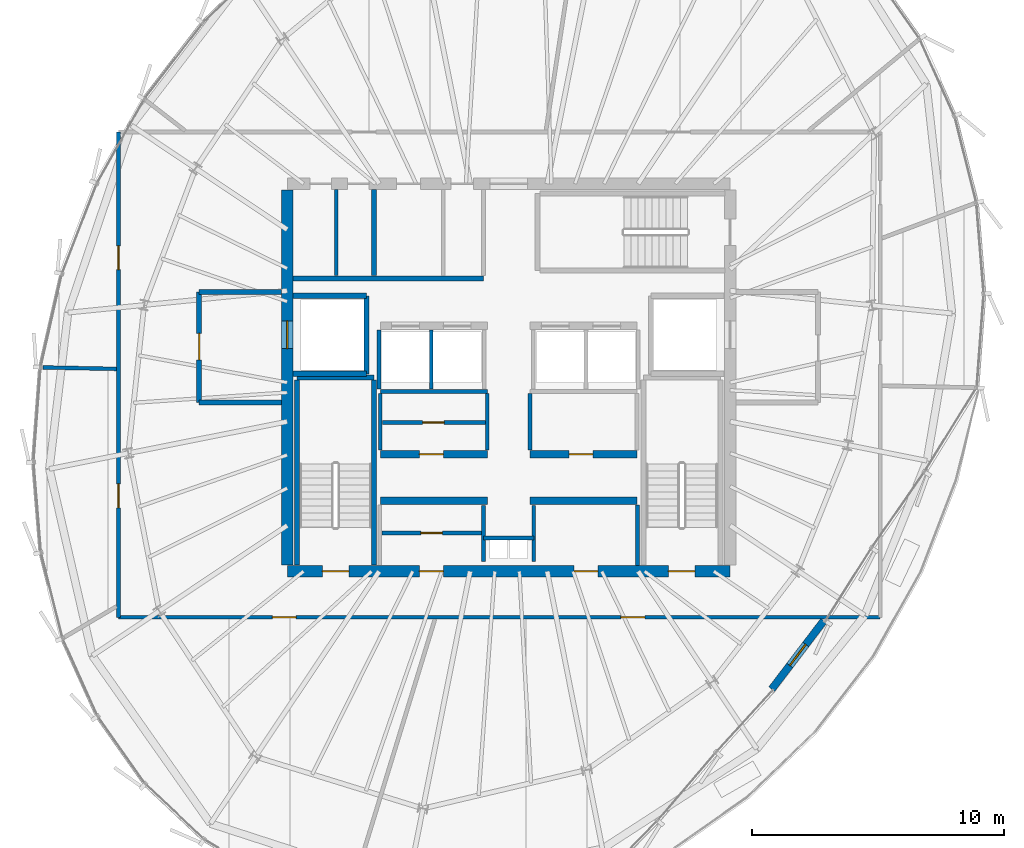
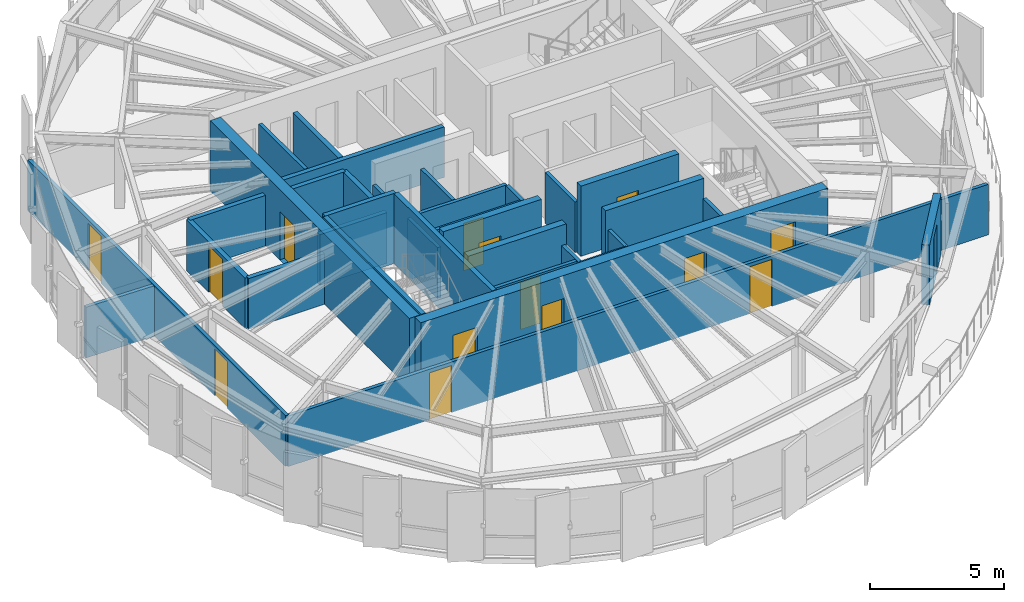
# One storey, part 24 of 30: 34 walls, 15 doors, 15 openings.
"""IFC4 building model written with IfcOpenShell, lengths in metres."""

from ifc_helpers import new_model, si_unit, direction, frame, frame_2d, origin, place, context, subcontext, project, spatial, rectangle, extrude, source, transform, mapped, material, layer, layer_set, type_object, element, fill, save


model = new_model("IFC4")

# Units and contexts
model_context = context("Model", 3, precision=1e-05, world=origin(), true_north=direction((0.0, 1.0)))
body_context = subcontext(model_context, "Body", "Model", "MODEL_VIEW")
ifc_project = project(units=[si_unit("LENGTHUNIT", "METRE"), si_unit("AREAUNIT", "SQUARE_METRE"), si_unit("VOLUMEUNIT", "CUBIC_METRE"), si_unit("PLANEANGLEUNIT", "RADIAN"), si_unit("MASSUNIT", "GRAM", prefix="KILO"), si_unit("THERMODYNAMICTEMPERATUREUNIT", "KELVIN")], contexts=[model_context])

# Site, building, storey
site_placement = place(None, origin())
site = spatial("IfcSite", under=ifc_project, at=site_placement, CompositionType="ELEMENT")
building_placement = place(site_placement, origin())
building = spatial("IfcBuilding", under=site, at=building_placement, Name="Kethvar Cultural Tower", CompositionType="ELEMENT")
storey_placement = place(building_placement, frame((0.0, 0.0, 293.949951171875)))
storey = spatial("IfcBuildingStorey", under=building, at=storey_placement, Name="L78", CompositionType="ELEMENT", Elevation=293.949951171875)

# Wall, openings, doors
ifc_material_1 = material(Name="Concrete C50/60", Category="concrete")
ifc_layer_1 = layer(ifc_material_1, 0.449951171875, Name="Concrete C50/60", Category="concrete")
ifc_layer_set_1 = layer_set([ifc_layer_1], Name="Concrete C50/60 (450 mm)")
wall_type_1 = type_object("IfcWallType", Name="WL-CORE-450", PredefinedType="SHEAR", material=ifc_layer_set_1)
wall_1_placement = place(storey_placement, frame((38.0, 20.10009765625, 0.0), z_axis=(0.0, 0.0, 1.0), x_axis=(1.0, 0.0, 0.0)))
wall_1 = element("IfcWall", 1, at=wall_1_placement, inside=storey, type_object=wall_type_1, Name="L78 Core Shear Wall S", PredefinedType="SHEAR", context=body_context, shape_type="SweptSolid", body=[
    extrude(rectangle(XDim=17.60009765625, YDim=0.449951171875, at=frame_2d((8.800048828125, 0.0))), origin(), (0.0, 0.0, 1.0), 3.2099609375),
])
opening_1_placement = place(wall_1_placement, frame((1.39990234375, 0.0, 0.0)))
opening_1 = element("IfcOpeningElement", 2, at=opening_1_placement, cuts=wall_1, Name="Opening D-L78-S1", PredefinedType="OPENING", context=body_context, shape_type="SweptSolid", body=[
    extrude(rectangle(XDim=1.050048828125, YDim=2.14990234375, at=frame_2d((0.52490234375, 1.074951171875))), frame((0.0, 0.23486328125, 0.0), z_axis=(0.0, -1.0, 0.0), x_axis=(1.0, 0.0, 0.0)), (0.0, 0.0, 1.0), 0.469970703125),
])
opening_2_placement = place(wall_1_placement, frame((15.14990234375, 0.0, 0.0)))
opening_2 = element("IfcOpeningElement", 3, at=opening_2_placement, cuts=wall_1, Name="Opening D-L78-ST2", PredefinedType="OPENING", context=body_context, shape_type="SweptSolid", body=[
    extrude(rectangle(XDim=1.050048828125, YDim=2.14990234375, at=frame_2d((0.52490234375, 1.074951171875))), frame((0.0, 0.23486328125, 0.0), z_axis=(0.0, -1.0, 0.0), x_axis=(1.0, 0.0, 0.0)), (0.0, 0.0, 1.0), 0.469970703125),
])
opening_3_placement = place(wall_1_placement, frame((5.25, 0.0, 0.0)))
opening_3 = element("IfcOpeningElement", 4, at=opening_3_placement, cuts=wall_1, Name="Opening D-L78-V1", PredefinedType="OPENING", context=body_context, shape_type="SweptSolid", body=[
    extrude(rectangle(XDim=0.949951171875, YDim=2.14990234375, at=frame_2d((0.47509765625, 1.074951171875))), frame((0.0, 0.23486328125, 0.0), z_axis=(0.0, -1.0, 0.0), x_axis=(1.0, 0.0, 0.0)), (0.0, 0.0, 1.0), 0.469970703125),
])
opening_4_placement = place(wall_1_placement, frame((11.39990234375, 0.0, 0.0)))
opening_4 = element("IfcOpeningElement", 5, at=opening_4_placement, cuts=wall_1, Name="Opening D-L78-V2", PredefinedType="OPENING", context=body_context, shape_type="SweptSolid", body=[
    extrude(rectangle(XDim=0.949951171875, YDim=2.14990234375, at=frame_2d((0.47509765625, 1.074951171875))), frame((0.0, 0.23486328125, 0.0), z_axis=(0.0, -1.0, 0.0), x_axis=(1.0, 0.0, 0.0)), (0.0, 0.0, 1.0), 0.469970703125),
])
ifc_material_2 = material(Name="Steel S355J2", Category="steel")
door_type_1 = type_object("IfcDoorType", Name="DR-FD60-1050", OperationType="NOTDEFINED", PredefinedType="DOOR", material=ifc_material_2)
shared_shape_1 = source(origin(), body_context, "Body", "SweptSolid", [
    extrude(rectangle(XDim=1.050048828125, YDim=2.14990234375, at=frame_2d((0.52490234375, 1.074951171875))), frame((0.0, 0.02490234375, 0.0), z_axis=(0.0, -1.0, 0.0), x_axis=(1.0, 0.0, 0.0)), (0.0, 0.0, 1.0), 0.050048828125),
])
door_1_placement = place(opening_1_placement, origin())
door_1 = element("IfcDoor", 6, at=door_1_placement, inside=storey, type_object=door_type_1, Name="L78 Exit Stair 1 Door", OperationType="SINGLE_SWING_LEFT", OverallHeight=2.14990234375, OverallWidth=1.050048828125, PredefinedType="DOOR", context=body_context, shape_type="MappedRepresentation", body=[
    mapped(shared_shape_1, transform((0.0, 0.0, 0.0), scale=1.0)),
])
fill(opening_1, door_1)
door_2_placement = place(opening_2_placement, origin())
door_2 = element("IfcDoor", 7, at=door_2_placement, inside=storey, type_object=door_type_1, Name="L78 Exit Stair 2 Door", OperationType="SINGLE_SWING_RIGHT", OverallHeight=2.14990234375, OverallWidth=1.050048828125, PredefinedType="DOOR", context=body_context, shape_type="MappedRepresentation", body=[
    mapped(shared_shape_1, transform((0.0, 0.0, 0.0), scale=1.0)),
])
fill(opening_2, door_2)
ifc_material_3 = material(Name="Architectural Oak Timber", Category="wood")
door_type_2 = type_object("IfcDoorType", Name="DR-FD30-950", OperationType="NOTDEFINED", PredefinedType="DOOR", material=ifc_material_3)
shared_shape_2 = source(origin(), body_context, "Body", "SweptSolid", [
    extrude(rectangle(XDim=0.949951171875, YDim=2.14990234375, at=frame_2d((0.47509765625, 1.074951171875))), frame((0.0, 0.02490234375, 0.0), z_axis=(0.0, -1.0, 0.0), x_axis=(1.0, 0.0, 0.0)), (0.0, 0.0, 1.0), 0.050048828125),
])
door_3_placement = place(opening_3_placement, origin())
door_3 = element("IfcDoor", 8, at=door_3_placement, inside=storey, type_object=door_type_2, Name="L78 Reclaimed West South Door", OperationType="SINGLE_SWING_LEFT", OverallHeight=2.14990234375, OverallWidth=0.949951171875, PredefinedType="DOOR", context=body_context, shape_type="MappedRepresentation", body=[
    mapped(shared_shape_2, transform((0.0, 0.0, 0.0), scale=1.0)),
])
fill(opening_3, door_3)
door_4_placement = place(opening_4_placement, origin())
door_4 = element("IfcDoor", 9, at=door_4_placement, inside=storey, type_object=door_type_2, Name="L78 Reclaimed East Server Door", OperationType="SINGLE_SWING_RIGHT", OverallHeight=2.14990234375, OverallWidth=0.949951171875, PredefinedType="DOOR", context=body_context, shape_type="MappedRepresentation", body=[
    mapped(shared_shape_2, transform((0.0, 0.0, 0.0), scale=1.0)),
])
fill(opening_4, door_4)

# Wall, opening, door
wall_2_placement = place(storey_placement, frame((38.0, 35.260009765625, 0.0), z_axis=(0.0, 0.0, 1.0), x_axis=(0.0, -1.0, 0.0)))
wall_2 = element("IfcWall", 10, at=wall_2_placement, inside=storey, type_object=wall_type_1, Name="L78 Core Shear Wall W", PredefinedType="SHEAR", context=body_context, shape_type="SweptSolid", body=[
    extrude(rectangle(XDim=14.919921875, YDim=0.449951171875, at=frame_2d((7.4599609375, 0.0))), origin(), (0.0, 0.0, 1.0), 3.2099609375),
])
opening_5_placement = place(wall_2_placement, frame((5.2099609375, 0.0, 0.0)))
opening_5 = element("IfcOpeningElement", 11, at=opening_5_placement, cuts=wall_2, Name="Opening LD-1", PredefinedType="OPENING", context=body_context, shape_type="SweptSolid", body=[
    extrude(rectangle(XDim=1.10009765625, YDim=2.199951171875, at=frame_2d((0.550048828125, 1.10009765625))), frame((0.0, 0.23486328125, 0.0), z_axis=(0.0, -1.0, 0.0), x_axis=(1.0, 0.0, 0.0)), (0.0, 0.0, 1.0), 0.469970703125),
])
door_type_3 = type_object("IfcDoorType", Name="DR-LIFT-SLIDE-1100", OperationType="NOTDEFINED", PredefinedType="DOOR", material=ifc_material_2)
shared_shape_3 = source(origin(), body_context, "Body", "SweptSolid", [
    extrude(rectangle(XDim=1.10009765625, YDim=2.199951171875, at=frame_2d((0.550048828125, 1.10009765625))), frame((0.0, 0.02490234375, 0.0), z_axis=(0.0, -1.0, 0.0), x_axis=(1.0, 0.0, 0.0)), (0.0, 0.0, 1.0), 0.050048828125),
])
door_5_placement = place(opening_5_placement, origin())
door_5 = element("IfcDoor", 12, at=door_5_placement, inside=storey, type_object=door_type_3, Name="L78 Firefighting Lift Landing Door FFL-01", OperationType="SLIDING_TO_LEFT", OverallHeight=2.199951171875, OverallWidth=1.10009765625, PredefinedType="DOOR", context=body_context, shape_type="MappedRepresentation", body=[
    mapped(shared_shape_3, transform((0.0, 0.0, 0.0), scale=1.0)),
])
fill(opening_5, door_5)

ifc_material_4 = material(Name="Concrete C40/50", Category="concrete")
ifc_layer_2 = layer(ifc_material_4, 0.300048828125, Name="Concrete C40/50", Category="concrete")
ifc_layer_set_2 = layer_set([ifc_layer_2], Name="Concrete C40/50 (300 mm)")
wall_type_2 = type_object("IfcWallType", Name="WL-EXT-TER-300", PredefinedType="SOLIDWALL", material=ifc_layer_set_2)
wall_3_placement = place(storey_placement, frame((59.324951171875, 18.134521484375, 0.0), z_axis=(0.0, 0.0, 1.0), x_axis=(-0.605586755282, -0.795779292158, 0.0)))
wall_3 = element("IfcWall", 13, at=wall_3_placement, inside=storey, type_object=wall_type_2, Name="L78 Sky Terrace Access Wall", PredefinedType="SOLIDWALL", context=body_context, shape_type="SweptSolid", body=[
    extrude(rectangle(XDim=3.4169921875, YDim=0.300048828125, at=frame_2d((1.70849609375, 0.0))), origin(), (0.0, 0.0, 1.0), 2.735107421875),
])
opening_6_placement = place(wall_3_placement, frame((1.18359375, 0.0, 0.0)))
opening_6 = element("IfcOpeningElement", 14, at=opening_6_placement, cuts=wall_3, Name="Opening D-L78-T1", PredefinedType="OPENING", context=body_context, shape_type="SweptSolid", body=[
    extrude(rectangle(XDim=1.050048828125, YDim=2.199951171875, at=frame_2d((0.52490234375, 1.10009765625))), frame((0.0, 0.159912109375, 0.0), z_axis=(0.0, -1.0, 0.0), x_axis=(1.0, 0.0, 0.0)), (0.0, 0.0, 1.0), 0.320068359375),
])
ifc_material_5 = material(Name="Aluminium 6063-T6", Category="aluminium")
door_type_4 = type_object("IfcDoorType", Name="DR-EXT-TER-1050", OperationType="NOTDEFINED", PredefinedType="DOOR", material=ifc_material_5)
shared_shape_4 = source(origin(), body_context, "Body", "SweptSolid", [
    extrude(rectangle(XDim=1.050048828125, YDim=2.199951171875, at=frame_2d((0.52490234375, 1.10009765625))), frame((0.0, 0.02490234375, 0.0), z_axis=(0.0, -1.0, 0.0), x_axis=(1.0, 0.0, 0.0)), (0.0, 0.0, 1.0), 0.050048828125),
])
door_6_placement = place(opening_6_placement, origin())
door_6 = element("IfcDoor", 15, at=door_6_placement, inside=storey, type_object=door_type_4, Name="L78 Sky Terrace Access Door D-L78-T1", OperationType="SINGLE_SWING_RIGHT", OverallHeight=2.199951171875, OverallWidth=1.050048828125, PredefinedType="DOOR", context=body_context, shape_type="MappedRepresentation", body=[
    mapped(shared_shape_4, transform((0.0, 0.0, 0.0), scale=1.0)),
])
fill(opening_6, door_6)

# Walls
ifc_material_6 = material(Name="Gypsum Fireboard Partition")
ifc_layer_3 = layer(ifc_material_6, 0.14990234375, Name="Gypsum Fireboard Partition")
ifc_layer_set_3 = layer_set([ifc_layer_3], Name="Gypsum Fireboard Partition (150 mm)")
wall_type_3 = type_object("IfcWallType", Name="WL-FIRE-150", PredefinedType="PARTITIONING", material=ifc_layer_set_3)
wall_4_placement = place(storey_placement, frame((45.800048828125, 21.419921875, 0.0), z_axis=(0.0, 0.0, 1.0), x_axis=(1.0, 0.0, 0.0)))
element("IfcWall", 16, at=wall_4_placement, inside=storey, type_object=wall_type_3, Name="L78 Core Riser Wall", PredefinedType="PARTITIONING", context=body_context, shape_type="SweptSolid", body=[
    extrude(rectangle(XDim=2.0, YDim=0.14990234375, at=frame_2d((1.0, 0.0))), origin(), (0.0, 0.0, 1.0), 2.31494140625),
])
for number, where, z_axis, x_axis, name in (
    (17, (45.800048828125, 20.47998046875, 0.0), (0.0, 0.0, 1.0), (0.0, 1.0, 0.0), "L78 Core Riser West Wall"),
    (18, (47.800048828125, 20.47998046875, 0.0), (0.0, 0.0, 1.0), (0.0, 1.0, 0.0), "L78 Core Riser East Wall"),
):
    element("IfcWall", number, at=place(storey_placement, frame(where, z_axis=z_axis, x_axis=x_axis)), inside=storey, type_object=wall_type_3, Name=name, PredefinedType="PARTITIONING", context=body_context, shape_type="SweptSolid", body=[
        extrude(rectangle(XDim=2.239990234375, YDim=0.14990234375, at=frame_2d((1.1201171875, 0.0))), origin(), (0.0, 0.0, 1.0), 2.31494140625),
    ])
wall_5_placement = place(storey_placement, frame((51.919921875, 20.3349609375, 0.0), z_axis=(0.0, 0.0, 1.0), x_axis=(0.0, 1.0, 0.0)))
element("IfcWall", 19, at=wall_5_placement, inside=storey, type_object=wall_type_3, Name="L78 Reclaimed East Outer Wall", PredefinedType="PARTITIONING", context=body_context, shape_type="SweptSolid", body=[
    extrude(rectangle(XDim=2.39501953125, YDim=0.14990234375, at=frame_2d((1.197509765625, 0.0))), origin(), (0.0, 0.0, 1.0), 2.31494140625),
])

# Wall, opening, door
wall_6_placement = place(storey_placement, frame((41.760009765625, 21.6201171875, 0.0), z_axis=(0.0, 0.0, 1.0), x_axis=(1.0, 0.0, 0.0)))
wall_6 = element("IfcWall", 20, at=wall_6_placement, inside=storey, type_object=wall_type_3, Name="L78 Vault Gallery Wall W", PredefinedType="PARTITIONING", context=body_context, shape_type="SweptSolid", body=[
    extrude(rectangle(XDim=3.9599609375, YDim=0.14990234375, at=frame_2d((1.97998046875, 0.0))), origin(), (0.0, 0.0, 1.0), 2.31494140625),
])
opening_7_placement = place(wall_6_placement, frame((1.550048828125, 0.0, 0.0)))
opening_7 = element("IfcOpeningElement", 21, at=opening_7_placement, cuts=wall_6, Name="Opening D-L78-V3", PredefinedType="OPENING", context=body_context, shape_type="SweptSolid", body=[
    extrude(rectangle(XDim=0.85009765625, YDim=2.14990234375, at=frame_2d((0.425048828125, 1.074951171875))), frame((0.0, 0.0849609375, 0.0), z_axis=(0.0, -1.0, 0.0), x_axis=(1.0, 0.0, 0.0)), (0.0, 0.0, 1.0), 0.169921875),
])
door_type_5 = type_object("IfcDoorType", Name="DR-FD30-850", OperationType="NOTDEFINED", PredefinedType="DOOR", material=ifc_material_2)
shared_shape_5 = source(origin(), body_context, "Body", "SweptSolid", [
    extrude(rectangle(XDim=0.85009765625, YDim=2.14990234375, at=frame_2d((0.425048828125, 1.074951171875))), frame((0.0, 0.02490234375, 0.0), z_axis=(0.0, -1.0, 0.0), x_axis=(1.0, 0.0, 0.0)), (0.0, 0.0, 1.0), 0.050048828125),
])
door_7_placement = place(opening_7_placement, origin())
door_7 = element("IfcDoor", 22, at=door_7_placement, inside=storey, type_object=door_type_5, Name="L78 Inner Vault Gallery Door", OperationType="SINGLE_SWING_LEFT", OverallHeight=2.14990234375, OverallWidth=0.85009765625, PredefinedType="DOOR", context=body_context, shape_type="MappedRepresentation", body=[
    mapped(shared_shape_5, transform((0.0, 0.0, 0.0), scale=1.0)),
])
fill(opening_7, door_7)

# Walls
wall_7_placement = place(storey_placement, frame((41.699951171875, 27.25, 0.0), z_axis=(0.0, 0.0, 1.0), x_axis=(1.0, 0.0, 0.0)))
element("IfcWall", 23, at=wall_7_placement, inside=storey, type_object=wall_type_3, Name="L78 Reclaimed Mid Wall W", PredefinedType="PARTITIONING", context=body_context, shape_type="SweptSolid", body=[
    extrude(rectangle(XDim=4.25, YDim=0.14990234375, at=frame_2d((2.125, 0.0))), origin(), (0.0, 0.0, 1.0), 2.31494140625),
])
for number, where, z_axis, x_axis, name in (
    (24, (41.699951171875, 24.919921875, 0.0), (0.0, 0.0, 1.0), (0.0, 1.0, 0.0), "L78 Reclaimed Mid Outer W"),
    (25, (45.949951171875, 24.919921875, 0.0), (0.0, 0.0, 1.0), (0.0, 1.0, 0.0), "L78 Reclaimed Mid Spine W"),
    (26, (47.64990234375, 24.919921875, 0.0), (0.0, 0.0, 1.0), (0.0, 1.0, 0.0), "L78 Reclaimed Mid Spine E"),
):
    element("IfcWall", number, at=place(storey_placement, frame(where, z_axis=z_axis, x_axis=x_axis)), inside=storey, type_object=wall_type_3, Name=name, PredefinedType="PARTITIONING", context=body_context, shape_type="SweptSolid", body=[
        extrude(rectangle(XDim=2.239990234375, YDim=0.14990234375, at=frame_2d((1.1201171875, 0.0))), origin(), (0.0, 0.0, 1.0), 2.31494140625),
    ])

# Wall, opening, door
wall_8_placement = place(storey_placement, frame((41.780029296875, 26.010009765625, 0.0), z_axis=(0.0, 0.0, 1.0), x_axis=(1.0, 0.0, 0.0)))
wall_8 = element("IfcWall", 27, at=wall_8_placement, inside=storey, type_object=wall_type_3, Name="L78 Mid Gallery Wall W", PredefinedType="PARTITIONING", context=body_context, shape_type="SweptSolid", body=[
    extrude(rectangle(XDim=4.090087890625, YDim=0.14990234375, at=frame_2d((2.044921875, 0.0))), origin(), (0.0, 0.0, 1.0), 2.31494140625),
])
opening_8_placement = place(wall_8_placement, frame((1.60009765625, 0.0, 0.0)))
opening_8 = element("IfcOpeningElement", 28, at=opening_8_placement, cuts=wall_8, Name="Opening D-L78-M3", PredefinedType="OPENING", context=body_context, shape_type="SweptSolid", body=[
    extrude(rectangle(XDim=0.85009765625, YDim=2.14990234375, at=frame_2d((0.425048828125, 1.074951171875))), frame((0.0, 0.0849609375, 0.0), z_axis=(0.0, -1.0, 0.0), x_axis=(1.0, 0.0, 0.0)), (0.0, 0.0, 1.0), 0.169921875),
])
door_8_placement = place(opening_8_placement, origin())
door_8 = element("IfcDoor", 29, at=door_8_placement, inside=storey, type_object=door_type_5, Name="L78 Fibre Inner Door", OperationType="SINGLE_SWING_LEFT", OverallHeight=2.14990234375, OverallWidth=0.85009765625, PredefinedType="DOOR", context=body_context, shape_type="MappedRepresentation", body=[
    mapped(shared_shape_5, transform((0.0, 0.0, 0.0), scale=1.0)),
])
fill(opening_8, door_8)

# Walls
for number, where, z_axis, x_axis, name in (
    (30, (41.64990234375, 27.340087890625, 0.0), (0.0, 0.0, 1.0), (0.0, 1.0, 0.0), "L78 High-Rise Lift Shaft Outer Wall W"),
    (31, (43.72509765625, 27.340087890625, 0.0), (0.0, 0.0, 1.0), (0.0, 1.0, 0.0), "L78 High-Rise Lift Shaft Divider W"),
):
    element("IfcWall", number, at=place(storey_placement, frame(where, z_axis=z_axis, x_axis=x_axis)), inside=storey, type_object=wall_type_3, Name=name, PredefinedType="PARTITIONING", context=body_context, shape_type="SweptSolid", body=[
        extrude(rectangle(XDim=2.33984375, YDim=0.14990234375, at=frame_2d((1.169921875, 0.0))), origin(), (0.0, 0.0, 1.0), 2.31494140625),
    ])
wall_9_placement = place(storey_placement, frame((39.949951171875, 31.85009765625, 0.0), z_axis=(0.0, 0.0, 1.0), x_axis=(0.0, 1.0, 0.0)))
element("IfcWall", 32, at=wall_9_placement, inside=storey, type_object=wall_type_3, Name="L78 NW Riser Divider", PredefinedType="PARTITIONING", context=body_context, shape_type="SweptSolid", body=[
    extrude(rectangle(XDim=3.414794921875, YDim=0.14990234375, at=frame_2d((1.70751953125, 0.0))), origin(), (0.0, 0.0, 1.0), 2.31494140625),
])

# Wall, openings, doors
wall_10_placement = place(storey_placement, frame((31.2900390625, 18.26904296875, 0.0), z_axis=(0.0, 0.0, 1.0), x_axis=(1.0, 0.0, 0.0)))
wall_10 = element("IfcWall", 33, at=wall_10_placement, inside=storey, type_object=wall_type_3, Name="L78 Corridor Rated Wall S", PredefinedType="PARTITIONING", context=body_context, shape_type="SweptSolid", body=[
    extrude(rectangle(XDim=30.27392578125, YDim=0.14990234375, at=frame_2d((15.136962890625, 0.0))), origin(), (0.0, 0.0, 1.0), 2.31494140625),
])
opening_9_placement = place(wall_10_placement, frame((6.115234375, 0.0, 0.0)))
opening_9 = element("IfcOpeningElement", 34, at=opening_9_placement, cuts=wall_10, Name="Opening D-L78-01", PredefinedType="OPENING", context=body_context, shape_type="SweptSolid", body=[
    extrude(rectangle(XDim=0.949951171875, YDim=2.14990234375, at=frame_2d((0.47509765625, 1.074951171875))), frame((0.0, 0.0849609375, 0.0), z_axis=(0.0, -1.0, 0.0), x_axis=(1.0, 0.0, 0.0)), (0.0, 0.0, 1.0), 0.169921875),
])
opening_10_placement = place(wall_10_placement, frame((19.97314453125, 0.0, 0.0)))
opening_10 = element("IfcOpeningElement", 35, at=opening_10_placement, cuts=wall_10, Name="Opening D-L78-02", PredefinedType="OPENING", context=body_context, shape_type="SweptSolid", body=[
    extrude(rectangle(XDim=0.949951171875, YDim=2.14990234375, at=frame_2d((0.47509765625, 1.074951171875))), frame((0.0, 0.0849609375, 0.0), z_axis=(0.0, -1.0, 0.0), x_axis=(1.0, 0.0, 0.0)), (0.0, 0.0, 1.0), 0.169921875),
])
door_9_placement = place(opening_9_placement, origin())
door_9 = element("IfcDoor", 36, at=door_9_placement, inside=storey, type_object=door_type_2, Name="L78 Museum Design Book Shop 01 Door", OperationType="SINGLE_SWING_LEFT", OverallHeight=2.14990234375, OverallWidth=0.949951171875, PredefinedType="DOOR", context=body_context, shape_type="MappedRepresentation", body=[
    mapped(shared_shape_2, transform((0.0, 0.0, 0.0), scale=1.0)),
])
fill(opening_9, door_9)
door_10_placement = place(opening_10_placement, origin())
door_10 = element("IfcDoor", 37, at=door_10_placement, inside=storey, type_object=door_type_2, Name="L78 Exhibition Print Shop 02 Door", OperationType="SINGLE_SWING_RIGHT", OverallHeight=2.14990234375, OverallWidth=0.949951171875, PredefinedType="DOOR", context=body_context, shape_type="MappedRepresentation", body=[
    mapped(shared_shape_2, transform((0.0, 0.0, 0.0), scale=1.0)),
])
fill(opening_10, door_10)

wall_11_placement = place(storey_placement, frame((31.2900390625, 37.56201171875, 0.0), z_axis=(0.0, 0.0, 1.0), x_axis=(0.0, -1.0, 0.0)))
wall_11 = element("IfcWall", 38, at=wall_11_placement, inside=storey, type_object=wall_type_3, Name="L78 Corridor Rated Wall W", PredefinedType="PARTITIONING", context=body_context, shape_type="SweptSolid", body=[
    extrude(rectangle(XDim=19.29296875, YDim=0.14990234375, at=frame_2d((9.646484375, 0.0))), origin(), (0.0, 0.0, 1.0), 2.31494140625),
])
opening_11_placement = place(wall_11_placement, frame((4.525390625, 0.0, 0.0)))
opening_11 = element("IfcOpeningElement", 39, at=opening_11_placement, cuts=wall_11, Name="Opening D-L78-07", PredefinedType="OPENING", context=body_context, shape_type="SweptSolid", body=[
    extrude(rectangle(XDim=0.949951171875, YDim=2.14990234375, at=frame_2d((0.47509765625, 1.074951171875))), frame((0.0, 0.0849609375, 0.0), z_axis=(0.0, -1.0, 0.0), x_axis=(1.0, 0.0, 0.0)), (0.0, 0.0, 1.0), 0.169921875),
])
opening_12_placement = place(wall_11_placement, frame((13.991943359375, 0.0, 0.0)))
opening_12 = element("IfcOpeningElement", 40, at=opening_12_placement, cuts=wall_11, Name="Opening D-L78-08", PredefinedType="OPENING", context=body_context, shape_type="SweptSolid", body=[
    extrude(rectangle(XDim=0.949951171875, YDim=2.14990234375, at=frame_2d((0.47509765625, 1.074951171875))), frame((0.0, 0.0849609375, 0.0), z_axis=(0.0, -1.0, 0.0), x_axis=(1.0, 0.0, 0.0)), (0.0, 0.0, 1.0), 0.169921875),
])
door_11_placement = place(opening_11_placement, origin())
door_11 = element("IfcDoor", 41, at=door_11_placement, inside=storey, type_object=door_type_2, Name="L78 Docent Espresso Pantry 07 Door", OperationType="SINGLE_SWING_LEFT", OverallHeight=2.14990234375, OverallWidth=0.949951171875, PredefinedType="DOOR", context=body_context, shape_type="MappedRepresentation", body=[
    mapped(shared_shape_2, transform((0.0, 0.0, 0.0), scale=1.0)),
])
fill(opening_11, door_11)
door_12_placement = place(opening_12_placement, origin())
door_12 = element("IfcDoor", 42, at=door_12_placement, inside=storey, type_object=door_type_2, Name="L78 Institute Tea Pantry 08 Door", OperationType="SINGLE_SWING_RIGHT", OverallHeight=2.14990234375, OverallWidth=0.949951171875, PredefinedType="DOOR", context=body_context, shape_type="MappedRepresentation", body=[
    mapped(shared_shape_2, transform((0.0, 0.0, 0.0), scale=1.0)),
])
fill(opening_12, door_12)

# Walls
ifc_layer_4 = layer(ifc_material_4, 0.199951171875, Name="Concrete C40/50", Category="concrete")
ifc_layer_set_4 = layer_set([ifc_layer_4], Name="Concrete C40/50 (200 mm)")
wall_type_4 = type_object("IfcWallType", Name="WL-FIRE-200", PredefinedType="PARTITIONING", material=ifc_layer_set_4)
wall_12_placement = place(storey_placement, frame((41.14990234375, 27.949951171875, 0.0), z_axis=(0.0, 0.0, 1.0), x_axis=(0.0, 1.0, 0.0)))
element("IfcWall", 43, at=wall_12_placement, inside=storey, type_object=wall_type_4, Name="L78 FFL-01 Shaft Inner Wall", PredefinedType="PARTITIONING", context=body_context, shape_type="SweptSolid", body=[
    extrude(rectangle(XDim=3.10009765625, YDim=0.199951171875, at=frame_2d((1.550048828125, 0.0))), origin(), (0.0, 0.0, 1.0), 2.31494140625),
])
for number, where, z_axis, x_axis, name in (
    (44, (38.235107421875, 27.949951171875, 0.0), (0.0, 0.0, 1.0), (1.0, 0.0, 0.0), "L78 FFL-01 Shaft South Wall"),
    (45, (38.235107421875, 31.050048828125, 0.0), (0.0, 0.0, 1.0), (1.0, 0.0, 0.0), "L78 FFL-01 Shaft North Wall"),
):
    element("IfcWall", number, at=place(storey_placement, frame(where, z_axis=z_axis, x_axis=x_axis)), inside=storey, type_object=wall_type_4, Name=name, PredefinedType="PARTITIONING", context=body_context, shape_type="SweptSolid", body=[
        extrude(rectangle(XDim=2.914794921875, YDim=0.199951171875, at=frame_2d((1.45751953125, 0.0))), origin(), (0.0, 0.0, 1.0), 2.31494140625),
    ])

# Wall, opening, door
wall_13_placement = place(storey_placement, frame((34.5, 31.199951171875, 0.0), z_axis=(0.0, 0.0, 1.0), x_axis=(0.0, -1.0, 0.0)))
wall_13 = element("IfcWall", 46, at=wall_13_placement, inside=storey, type_object=wall_type_4, Name="L78 Firefighting Lobby 1 Wall", PredefinedType="PARTITIONING", context=body_context, shape_type="SweptSolid", body=[
    extrude(rectangle(XDim=4.39990234375, YDim=0.199951171875, at=frame_2d((2.199951171875, 0.0))), origin(), (0.0, 0.0, 1.0), 2.31494140625),
])
opening_13_placement = place(wall_13_placement, frame((1.64990234375, 0.0, 0.0)))
opening_13 = element("IfcOpeningElement", 47, at=opening_13_placement, cuts=wall_13, Name="Opening D-L78-F1", PredefinedType="OPENING", context=body_context, shape_type="SweptSolid", body=[
    extrude(rectangle(XDim=1.050048828125, YDim=2.14990234375, at=frame_2d((0.52490234375, 1.074951171875))), frame((0.0, 0.10986328125, 0.0), z_axis=(0.0, -1.0, 0.0), x_axis=(1.0, 0.0, 0.0)), (0.0, 0.0, 1.0), 0.219970703125),
])
door_13_placement = place(opening_13_placement, origin())
door_13 = element("IfcDoor", 48, at=door_13_placement, inside=storey, type_object=door_type_1, Name="L78 Firefighting Lobby 1 Fire Door", OperationType="SINGLE_SWING_LEFT", OverallHeight=2.14990234375, OverallWidth=1.050048828125, PredefinedType="DOOR", context=body_context, shape_type="MappedRepresentation", body=[
    mapped(shared_shape_1, transform((0.0, 0.0, 0.0), scale=1.0)),
])
fill(opening_13, door_13)

# Walls
for number, where, z_axis, x_axis, name in (
    (49, (34.5, 26.800048828125, 0.0), (0.0, 0.0, 1.0), (1.0, 0.0, 0.0), "L78 FF Lobby 1 South Wall"),
    (50, (34.5, 31.199951171875, 0.0), (0.0, 0.0, 1.0), (1.0, 0.0, 0.0), "L78 FF Lobby 1 North Wall"),
):
    element("IfcWall", number, at=place(storey_placement, frame(where, z_axis=z_axis, x_axis=x_axis)), inside=storey, type_object=wall_type_4, Name=name, PredefinedType="PARTITIONING", context=body_context, shape_type="SweptSolid", body=[
        extrude(rectangle(XDim=3.264892578125, YDim=0.199951171875, at=frame_2d((1.63232421875, 0.0))), origin(), (0.0, 0.0, 1.0), 2.31494140625),
    ])
wall_14_placement = place(storey_placement, frame((41.449951171875, 31.85009765625, 0.0), z_axis=(0.0, 0.0, 1.0), x_axis=(0.0, 1.0, 0.0)))
element("IfcWall", 51, at=wall_14_placement, inside=storey, type_object=wall_type_4, Name="L78 NW Core Pocket Wall", PredefinedType="PARTITIONING", context=body_context, shape_type="SweptSolid", body=[
    extrude(rectangle(XDim=3.414794921875, YDim=0.199951171875, at=frame_2d((1.70751953125, 0.0))), origin(), (0.0, 0.0, 1.0), 2.31494140625),
])
wall_15_placement = place(storey_placement, frame((38.235107421875, 31.72998046875, 0.0), z_axis=(0.0, 0.0, 1.0), x_axis=(1.0, 0.0, 0.0)))
element("IfcWall", 52, at=wall_15_placement, inside=storey, type_object=wall_type_4, Name="L78 North Core Sanitary South Wall", PredefinedType="PARTITIONING", context=body_context, shape_type="SweptSolid", body=[
    extrude(rectangle(XDim=7.56494140625, YDim=0.199951171875, at=frame_2d((3.782470703125, 0.0))), origin(), (0.0, 0.0, 1.0), 2.31494140625),
])
ifc_material_7 = material(Name="Gypsum Acoustic Partition")
ifc_layer_5 = layer(ifc_material_7, 0.14990234375, Name="Gypsum Acoustic Partition")
ifc_layer_set_5 = layer_set([ifc_layer_5], Name="Gypsum Acoustic Partition (150 mm)")
wall_type_5 = type_object("IfcWallType", Name="WL-PART-150", PredefinedType="PARTITIONING", material=ifc_layer_set_5)
wall_16_placement = place(storey_placement, frame((31.2099609375, 28.142578125, 0.0), z_axis=(0.0, 0.0, 1.0), x_axis=(-0.99979414097, 0.020289792572, 0.0)))
element("IfcWall", 53, at=wall_16_placement, inside=storey, type_object=wall_type_5, Name="L78 Radial Partition Wall 09", PredefinedType="PARTITIONING", context=body_context, shape_type="SweptSolid", body=[
    extrude(rectangle(XDim=2.923828125, YDim=0.14990234375, at=frame_2d((1.4619140625, 0.0))), origin(), (0.0, 0.0, 1.0), 2.31494140625),
])
ifc_layer_6 = layer(ifc_material_1, 0.300048828125, Name="Concrete C50/60", Category="concrete")
ifc_layer_set_6 = layer_set([ifc_layer_6], Name="Concrete C50/60 (300 mm)")
wall_type_6 = type_object("IfcWallType", Name="WL-SHAFT-300", PredefinedType="SHEAR", material=ifc_layer_set_6)
for number, where, z_axis, x_axis, name in (
    (54, (41.699951171875, 22.89990234375, 0.0), (0.0, 0.0, 1.0), (1.0, 0.0, 0.0), "L78 Core Lift Spine Wall MID1W"),
    (55, (47.64990234375, 22.89990234375, 0.0), (0.0, 0.0, 1.0), (1.0, 0.0, 0.0), "L78 Core Lift Spine Wall MID1E"),
):
    element("IfcWall", number, at=place(storey_placement, frame(where, z_axis=z_axis, x_axis=x_axis)), inside=storey, type_object=wall_type_6, Name=name, PredefinedType="SHEAR", context=body_context, shape_type="SweptSolid", body=[
        extrude(rectangle(XDim=4.25, YDim=0.300048828125, at=frame_2d((2.125, 0.0))), origin(), (0.0, 0.0, 1.0), 3.2099609375),
    ])

# Wall, opening, door
wall_17_placement = place(storey_placement, frame((41.699951171875, 24.75, 0.0), z_axis=(0.0, 0.0, 1.0), x_axis=(1.0, 0.0, 0.0)))
wall_17 = element("IfcWall", 56, at=wall_17_placement, inside=storey, type_object=wall_type_6, Name="L78 Core Lift Spine Wall MID2W", PredefinedType="SHEAR", context=body_context, shape_type="SweptSolid", body=[
    extrude(rectangle(XDim=4.25, YDim=0.300048828125, at=frame_2d((2.125, 0.0))), origin(), (0.0, 0.0, 1.0), 3.2099609375),
])
opening_14_placement = place(wall_17_placement, frame((1.550048828125, 0.0, 0.0)))
opening_14 = element("IfcOpeningElement", 57, at=opening_14_placement, cuts=wall_17, Name="Opening D-L78-M1", PredefinedType="OPENING", context=body_context, shape_type="SweptSolid", body=[
    extrude(rectangle(XDim=0.949951171875, YDim=2.14990234375, at=frame_2d((0.47509765625, 1.074951171875))), frame((0.0, 0.159912109375, 0.0), z_axis=(0.0, -1.0, 0.0), x_axis=(1.0, 0.0, 0.0)), (0.0, 0.0, 1.0), 0.320068359375),
])
door_14_placement = place(opening_14_placement, origin())
door_14 = element("IfcDoor", 58, at=door_14_placement, inside=storey, type_object=door_type_2, Name="L78 Fibre Patch Door", OperationType="SINGLE_SWING_LEFT", OverallHeight=2.14990234375, OverallWidth=0.949951171875, PredefinedType="DOOR", context=body_context, shape_type="MappedRepresentation", body=[
    mapped(shared_shape_2, transform((0.0, 0.0, 0.0), scale=1.0)),
])
fill(opening_14, door_14)

wall_18_placement = place(storey_placement, frame((47.64990234375, 24.75, 0.0), z_axis=(0.0, 0.0, 1.0), x_axis=(1.0, 0.0, 0.0)))
wall_18 = element("IfcWall", 59, at=wall_18_placement, inside=storey, type_object=wall_type_6, Name="L78 Core Lift Spine Wall MID2E", PredefinedType="SHEAR", context=body_context, shape_type="SweptSolid", body=[
    extrude(rectangle(XDim=4.25, YDim=0.300048828125, at=frame_2d((2.125, 0.0))), origin(), (0.0, 0.0, 1.0), 3.2099609375),
])
opening_15_placement = place(wall_18_placement, frame((1.550048828125, 0.0, 0.0)))
opening_15 = element("IfcOpeningElement", 60, at=opening_15_placement, cuts=wall_18, Name="Opening D-L78-M2", PredefinedType="OPENING", context=body_context, shape_type="SweptSolid", body=[
    extrude(rectangle(XDim=0.949951171875, YDim=2.14990234375, at=frame_2d((0.47509765625, 1.074951171875))), frame((0.0, 0.159912109375, 0.0), z_axis=(0.0, -1.0, 0.0), x_axis=(1.0, 0.0, 0.0)), (0.0, 0.0, 1.0), 0.320068359375),
])
door_15_placement = place(opening_15_placement, origin())
door_15 = element("IfcDoor", 61, at=door_15_placement, inside=storey, type_object=door_type_2, Name="L78 Sky Archive Annex Door", OperationType="SINGLE_SWING_RIGHT", OverallHeight=2.14990234375, OverallWidth=0.949951171875, PredefinedType="DOOR", context=body_context, shape_type="MappedRepresentation", body=[
    mapped(shared_shape_2, transform((0.0, 0.0, 0.0), scale=1.0)),
])
fill(opening_15, door_15)

# Walls
ifc_layer_7 = layer(ifc_material_1, 0.199951171875, Name="Concrete C50/60", Category="concrete")
ifc_layer_set_7 = layer_set([ifc_layer_7], Name="Concrete C50/60 (200 mm)")
wall_type_7 = type_object("IfcWallType", Name="WL-STSHAFT-200", PredefinedType="SHEAR", material=ifc_layer_set_7)
wall_19_placement = place(storey_placement, frame((38.389892578125, 27.800048828125, 0.0), z_axis=(0.0, 0.0, 1.0), x_axis=(1.0, 0.0, 0.0)))
element("IfcWall", 62, at=wall_19_placement, inside=storey, type_object=wall_type_7, Name="L78 ST-01 Stair Shaft Wall FAR", PredefinedType="SHEAR", context=body_context, shape_type="SweptSolid", body=[
    extrude(rectangle(XDim=3.06005859375, YDim=0.199951171875, at=frame_2d((1.530029296875, 0.0))), origin(), (0.0, 0.0, 1.0), 3.2099609375),
])
for number, where, z_axis, x_axis, name in (
    (63, (41.449951171875, 27.699951171875, 0.0), (0.0, 0.0, 1.0), (0.0, -1.0, 0.0), "L78 ST-01 Stair Shaft Wall LEFT"),
    (64, (38.389892578125, 20.35009765625, 0.0), (0.0, 0.0, 1.0), (0.0, 1.0, 0.0), "L78 ST-01 Stair Shaft Wall RIGHT"),
):
    element("IfcWall", number, at=place(storey_placement, frame(where, z_axis=z_axis, x_axis=x_axis)), inside=storey, type_object=wall_type_7, Name=name, PredefinedType="SHEAR", context=body_context, shape_type="SweptSolid", body=[
        extrude(rectangle(XDim=7.349853515625, YDim=0.199951171875, at=frame_2d((3.6748046875, 0.0))), origin(), (0.0, 0.0, 1.0), 3.2099609375),
    ])

save(model, "model.ifc")
